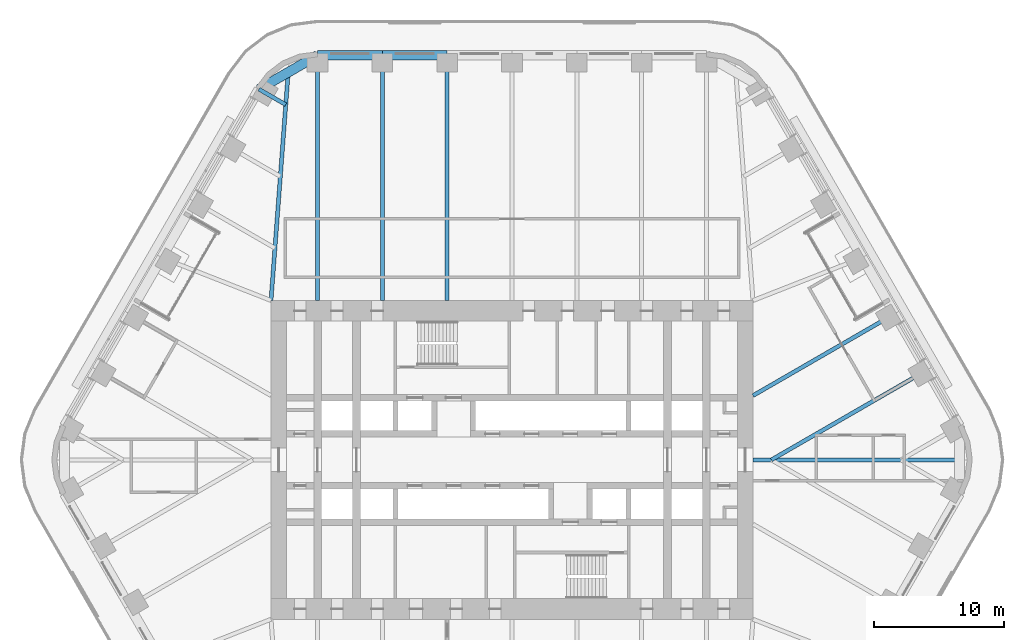
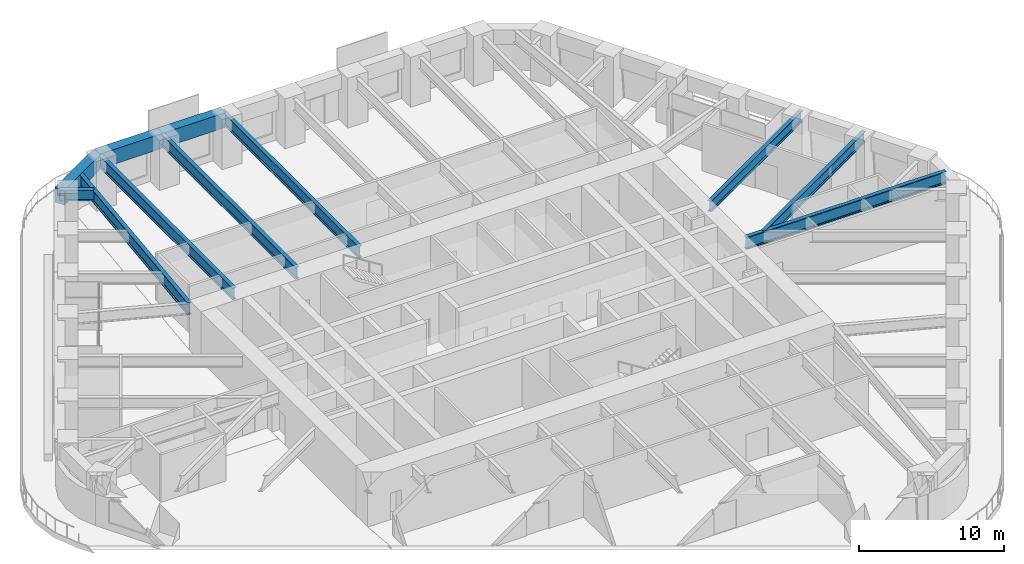
# One storey, part 10 of 24: 11 beams.
"""IFC4 building model written with IfcOpenShell, lengths in metres."""

import ifcopenshell
import ifcopenshell.guid

model = None  # the IFC model being written
_history = None  # IfcOwnerHistory: only IFC2X3 demands one
_inside = {}  # id of a spatial element -> (the spatial element, [elements in it])
_under = {}  # id of a project, library or spatial element -> (it, [spatial elements below it])
_declared = {}  # id of a project -> (the project, [libraries it declares])
_typed = {}  # id of a type object -> (the type object, [elements of that type])
_made_of = {}  # id of a material, layer set ... -> (it, [elements and type objects made of it])


def new_model(schema):
    """Start an empty IFC model of exactly this schema.

    Asked for "IFC4X3", IfcOpenShell would pick the latest addendum, in which some entities
    have other attributes; the version numbers below select the first issue.
    IFC2X3 requires an IfcOwnerHistory on every rooted entity: one is made here for all.
    """
    global model, _history
    if schema == "IFC4X3":
        model = ifcopenshell.file(schema_version=(4, 3, 0, 0))
    else:
        model = ifcopenshell.file(schema=schema)
    _inside.clear()
    _under.clear()
    _declared.clear()
    _typed.clear()
    _made_of.clear()
    _history = None
    if model.schema == "IFC2X3":
        org = make("IfcOrganization", Name="unknown")
        user = make(
            "IfcPersonAndOrganization",
            ThePerson=make("IfcPerson", FamilyName="unknown"),
            TheOrganization=org,
        )
        app = make(
            "IfcApplication",
            ApplicationDeveloper=org,
            Version="unknown",
            ApplicationFullName="unknown",
            ApplicationIdentifier="unknown",
        )
        _history = make(
            "IfcOwnerHistory",
            OwningUser=user,
            OwningApplication=app,
            ChangeAction="ADDED",
            CreationDate=0,
        )
    return model


def make(cls, **values):
    """One entity of the class cls with the attributes given. An attribute that is None is left unset."""
    return model.create_entity(
        cls, **{name: value for name, value in values.items() if value is not None}
    )


def rooted(cls, **values):
    """An entity with a GlobalId (a new one), such as an element, a storey or a relation."""
    return make(cls, GlobalId=ifcopenshell.guid.new(), OwnerHistory=_history, **values)


def si_unit(unit_type, name, prefix=None):
    """IfcSIUnit, for example si_unit("LENGTHUNIT", "METRE", prefix="MILLI")."""
    return make("IfcSIUnit", UnitType=unit_type, Prefix=prefix, Name=name)


def assignment(units):
    """IfcUnitAssignment: the units of a project."""
    return None if units is None else make("IfcUnitAssignment", Units=units)


def point(xyz):
    """IfcCartesianPoint."""
    return None if xyz is None else make("IfcCartesianPoint", Coordinates=xyz)


def direction(xyz):
    """IfcDirection."""
    return None if xyz is None else make("IfcDirection", DirectionRatios=xyz)


def frame(location, z_axis=None, x_axis=None):
    """IfcAxis2Placement3D, a coordinate frame: its origin and axes. An axis left out is left unset."""
    return make(
        "IfcAxis2Placement3D",
        Location=point(location),
        Axis=direction(z_axis),
        RefDirection=direction(x_axis),
    )


def frame_2d(location, x_axis=None):
    """IfcAxis2Placement2D, a coordinate frame in the plane: its origin and x axis."""
    return make(
        "IfcAxis2Placement2D", Location=point(location), RefDirection=direction(x_axis)
    )


def origin():
    """The frame at (0, 0, 0) with its axes left unset."""
    return frame((0.0, 0.0, 0.0))


def origin_2d():
    """The frame at (0, 0) in the plane with its x axis left unset."""
    return frame_2d((0.0, 0.0))


def place(relative_to, where):
    """IfcLocalPlacement: puts the frame where relative to a parent placement (None: the world)."""
    return make(
        "IfcLocalPlacement", PlacementRelTo=relative_to, RelativePlacement=where
    )


def context(
    kind, dimensions, precision=None, world=None, true_north=None, identifier=None
):
    """IfcGeometricRepresentationContext, for example the 3D "Model" context."""
    return make(
        "IfcGeometricRepresentationContext",
        ContextIdentifier=identifier,
        ContextType=kind,
        CoordinateSpaceDimension=dimensions,
        Precision=precision,
        WorldCoordinateSystem=world,
        TrueNorth=true_north,
    )


def subcontext(parent, identifier, kind, view, scale=None):
    """IfcGeometricRepresentationSubContext, for example "Body" below "Model"."""
    return make(
        "IfcGeometricRepresentationSubContext",
        ContextIdentifier=identifier,
        ContextType=kind,
        ParentContext=parent,
        TargetScale=scale,
        TargetView=view,
    )


def project(units=None, contexts=None):
    """IfcProject with its units and contexts."""
    return rooted(
        "IfcProject",
        Name="project",
        RepresentationContexts=contexts,
        UnitsInContext=assignment(units),
    )


def spatial(cls, under=None, at=None, **own):
    """A site, building, storey or space (cls), placed at a placement, below another one or the project."""
    s = rooted(cls, ObjectPlacement=at, **own)
    if under is not None:
        _under.setdefault(under.id(), (under, []))[1].append(s)
    return s


def profile(cls, at=None, kind="AREA", **sizes):
    """A parametric profile (cls). Its sizes go by their IFC names, for example OverallWidth=200.0."""
    return make(cls, ProfileType=kind, Position=at, **sizes)


def rectangle(**sizes):
    """IfcRectangleProfileDef."""
    return profile("IfcRectangleProfileDef", **sizes)


def i_section(**sizes):
    """IfcIShapeProfileDef."""
    return profile("IfcIShapeProfileDef", **sizes)


def extrude(swept, where, along, depth):
    """IfcExtrudedAreaSolid: the profile swept, set in the frame where, extruded along a direction by depth."""
    return make(
        "IfcExtrudedAreaSolid",
        SweptArea=swept,
        Position=where,
        ExtrudedDirection=direction(along),
        Depth=depth,
    )


def shape(context_of_items, identifier, shape_type, items):
    """IfcShapeRepresentation: the items that make up one representation, for example the "Body"."""
    return make(
        "IfcShapeRepresentation",
        ContextOfItems=context_of_items,
        RepresentationIdentifier=identifier,
        RepresentationType=shape_type,
        Items=items,
    )


def material(Name=None, Category=None):
    """IfcMaterial."""
    return make("IfcMaterial", Name=Name, Category=Category)


def material_profile(
    of_material, cross_section, Name=None, Category=None, Priority=None
):
    """IfcMaterialProfile: a cross section and its material."""
    return make(
        "IfcMaterialProfile",
        Name=Name,
        Material=of_material,
        Profile=cross_section,
        Priority=Priority,
        Category=Category,
    )


def profile_set(profiles, Name=None, composite=None):
    """IfcMaterialProfileSet."""
    return make(
        "IfcMaterialProfileSet",
        Name=Name,
        MaterialProfiles=profiles,
        CompositeProfile=composite,
    )


def made_of(thing, what):
    """Note that an element or type object is made of a material, layer set ...; save() writes the relation."""
    if what is not None:
        _made_of.setdefault(what.id(), (what, []))[1].append(thing)
    return thing


def type_object(cls, material=None, **own):
    """A type object (cls), such as IfcWallType, which elements share."""
    return made_of(rooted(cls, **own), material)


def element(
    cls,
    number,
    at=None,
    inside=None,
    cuts=None,
    type_object=None,
    material=None,
    context=None,
    identifier="Body",
    shape_type=None,
    held_by="IfcProductDefinitionShape",
    body=None,
    shapes=None,
    **own,
):
    """One element of the class cls, such as IfcWall. Its Tag is "e" and its number.

    at: its placement. inside: the storey or other place that contains it. cuts: it is an
    opening in that element (IfcRelVoidsElement). A single representation is given by context,
    identifier, shape_type and body (its items); several are given by shapes. held_by: the class
    of the entity that holds the representations. save() writes the other relations.
    """
    e = rooted(cls, Tag="e%d" % number, ObjectPlacement=at, **own)
    if body is not None:
        shapes = [shape(context, identifier, shape_type, body)]
    if shapes is not None:
        e.Representation = make(held_by, Representations=shapes)
    if inside is not None:
        _inside.setdefault(inside.id(), (inside, []))[1].append(e)
    if cuts is not None:
        rooted(
            "IfcRelVoidsElement", RelatingBuildingElement=cuts, RelatedOpeningElement=e
        )
    if type_object is not None:
        _typed.setdefault(type_object.id(), (type_object, []))[1].append(e)
    return made_of(e, material)


def aggregate(whole, parts):
    """IfcRelAggregates: a whole, such as a stair, and the parts it consists of."""
    return rooted("IfcRelAggregates", RelatingObject=whole, RelatedObjects=parts)


def save(model, path):
    """Write the relations noted so far, then the file.

    IfcRelAggregates (storeys below a building ...), IfcRelContainedInSpatialStructure (elements
    in a storey), IfcRelDefinesByType, IfcRelAssociatesMaterial and IfcRelDeclares: one each for
    every whole, place, type object, material and project.
    """
    for whole, parts in _under.values():
        aggregate(whole, parts)
    for where, things in _inside.values():
        rooted(
            "IfcRelContainedInSpatialStructure",
            RelatedElements=things,
            RelatingStructure=where,
        )
    for kind, things in _typed.values():
        rooted("IfcRelDefinesByType", RelatedObjects=things, RelatingType=kind)
    for what, things in _made_of.values():
        rooted("IfcRelAssociatesMaterial", RelatedObjects=things, RelatingMaterial=what)
    for by, libraries in _declared.values():
        rooted("IfcRelDeclares", RelatingContext=by, RelatedDefinitions=libraries)
    model.write(path)


model = new_model("IFC4")

# Units and contexts
model_context = context("Model", 3, precision=1e-05, world=origin(), true_north=direction((0.0, 1.0)))
body_context = subcontext(model_context, "Body", "Model", "MODEL_VIEW")
ifc_project = project(units=[si_unit("LENGTHUNIT", "METRE"), si_unit("AREAUNIT", "SQUARE_METRE"), si_unit("VOLUMEUNIT", "CUBIC_METRE"), si_unit("PLANEANGLEUNIT", "RADIAN"), si_unit("MASSUNIT", "GRAM", prefix="KILO")], contexts=[model_context])

# Site, building, storey
site_placement = place(None, origin())
site = spatial("IfcSite", under=ifc_project, at=site_placement, CompositionType="ELEMENT")
building_placement = place(site_placement, origin())
building = spatial("IfcBuilding", under=site, at=building_placement, Name="Tarfa Lantern Tower", CompositionType="ELEMENT")
storey_placement = place(building_placement, frame((0.0, 0.0, 174.10009765625)))
storey = spatial("IfcBuildingStorey", under=building, at=storey_placement, Name="L39", CompositionType="ELEMENT", Elevation=174.10009765625)

# Beams
ifc_material_1 = material(Name="Concrete C80/95", Category="concrete")
ifc_material_profile_1 = material_profile(ifc_material_1, rectangle(XDim=0.75, YDim=1.25, at=origin_2d()), Name="RC 750x1250")
ifc_profile_set_1 = profile_set([ifc_material_profile_1], Name="Concrete C80/95")
beam_type_1 = type_object("IfcBeamType", Name="EB2 RC 750x1250", PredefinedType="SPANDREL", material=ifc_profile_set_1)
for number, where, z_axis, x_axis, name in (
    (1, (-5.003662109375, 31.219970703125, 3.375), (-1.0, 0.0, 0.0), (0.0, -1.0, 0.0), "Edge beam N4"),
    (2, (-10.00732421875, 31.219970703125, 3.375), (-1.0, 0.0, 0.0), (0.0, -1.0, 0.0), "Edge beam N5"),
):
    element("IfcBeam", number, at=place(storey_placement, frame(where, z_axis=z_axis, x_axis=x_axis)), inside=storey, type_object=beam_type_1, Name=name, PredefinedType="SPANDREL", context=body_context, shape_type="SweptSolid", body=[
        extrude(rectangle(XDim=0.75, YDim=1.25, at=origin_2d()), origin(), (0.0, 0.0, 1.0), 5.003662109375),
    ])
beam_1_placement = place(storey_placement, frame((-15.010986328125, 31.219970703125, 3.375), z_axis=(-0.86604150238, -0.499972115377, 0.0), x_axis=(0.499972115377, -0.86604150238, 0.0)))
element("IfcBeam", 3, at=beam_1_placement, inside=storey, type_object=beam_type_1, Name="Edge beam N6", PredefinedType="SPANDREL", context=body_context, shape_type="SweptSolid", body=[
    extrude(rectangle(XDim=0.75, YDim=1.25, at=origin_2d()), origin(), (0.0, 0.0, 1.0), 5.219970703125),
])
ifc_material_2 = material(Name="Steel S460M", Category="steel")
ifc_material_profile_2 = material_profile(ifc_material_2, i_section(OverallWidth=0.302001953125, OverallDepth=1.008056640625, WebThickness=0.02099609375, FlangeThickness=0.0400390625, FilletRadius=0.030029296875, at=origin_2d()), Name="UB1016x305x349")
ifc_profile_set_2 = profile_set([ifc_material_profile_2], Name="Steel S460M")
beam_type_2 = type_object("IfcBeamType", Name="UB1016x305x349", PredefinedType="BEAM", material=ifc_profile_set_2)
for number, where, z_axis, x_axis, name in (
    (4, (-5.003662109375, 31.219970703125, 3.495849609375), (0.0, -1.0, 0.0), (1.0, 0.0, 0.0), "Floor beam N4"),
    (5, (-10.00732421875, 31.219970703125, 3.495849609375), (0.0, -1.0, 0.0), (1.0, 0.0, 0.0), "Floor beam N5"),
    (6, (-15.010986328125, 31.219970703125, 3.495849609375), (0.0, -1.0, 0.0), (1.0, 0.0, 0.0), "Floor beam N6"),
):
    element("IfcBeam", number, at=place(storey_placement, frame(where, z_axis=z_axis, x_axis=x_axis)), inside=storey, type_object=beam_type_2, Name=name, PredefinedType="BEAM", context=body_context, shape_type="SweptSolid", body=[
        extrude(i_section(OverallWidth=0.302001953125, OverallDepth=1.008056640625, WebThickness=0.02099609375, FlangeThickness=0.0400390625, FilletRadius=0.030029296875, at=origin_2d()), origin(), (0.0, 0.0, 1.0), 18.919921875),
    ])
ifc_material_profile_3 = material_profile(ifc_material_2, i_section(OverallWidth=0.30859375, OverallDepth=1.036376953125, WebThickness=0.030029296875, FlangeThickness=0.05419921875, FilletRadius=0.030029296875, at=origin_2d()), Name="UB1016x305x487")
ifc_profile_set_3 = profile_set([ifc_material_profile_3], Name="Steel S460M")
beam_type_3 = type_object("IfcBeamType", Name="UB1016x305x487", PredefinedType="BEAM", material=ifc_profile_set_3)
beam_2_placement = place(storey_placement, frame((18.60009765625, 0.0, 3.481689453125), z_axis=(1.0, 0.0, 0.0), x_axis=(0.0, 1.0, 0.0)))
element("IfcBeam", 7, at=beam_2_placement, inside=storey, type_object=beam_type_3, Name="Hip girder E", PredefinedType="BEAM", context=body_context, shape_type="SweptSolid", body=[
    extrude(i_section(OverallWidth=0.30859375, OverallDepth=1.036376953125, WebThickness=0.030029296875, FlangeThickness=0.05419921875, FilletRadius=0.030029296875, at=origin_2d()), origin(), (0.0, 0.0, 1.0), 15.94287109375),
])
beam_3_placement = place(storey_placement, frame((-18.60009765625, 12.300048828125, 3.481689453125), z_axis=(0.075211516041, 0.99716760269, 0.0), x_axis=(-0.99716760269, 0.075211516041, 0.0)))
element("IfcBeam", 8, at=beam_3_placement, inside=storey, type_object=beam_type_3, Name="Hip girder NW", PredefinedType="BEAM", context=body_context, shape_type="SweptSolid", body=[
    extrude(i_section(OverallWidth=0.30859375, OverallDepth=1.036376953125, WebThickness=0.030029296875, FlangeThickness=0.05419921875, FilletRadius=0.030029296875, at=origin_2d()), origin(), (0.0, 0.0, 1.0), 17.6650390625),
])
ifc_material_profile_4 = material_profile(ifc_material_2, i_section(OverallWidth=0.305419921875, OverallDepth=0.91845703125, WebThickness=0.017333984375, FlangeThickness=0.02783203125, FilletRadius=0.01904296875, at=origin_2d()), Name="UB914x305x253")
ifc_profile_set_4 = profile_set([ifc_material_profile_4], Name="Steel S460M")
beam_type_4 = type_object("IfcBeamType", Name="UB914x305x253", PredefinedType="BEAM", material=ifc_profile_set_4)
beam_4_placement = place(storey_placement, frame((32.041015625, 6.943359375, 3.540771484375), z_axis=(-0.866023096411, -0.500003996466, 0.0), x_axis=(0.500003996466, -0.866023096411, 0.0)))
element("IfcBeam", 9, at=beam_4_placement, inside=storey, type_object=beam_type_4, Name="Floor beam NE1", PredefinedType="BEAM", context=body_context, shape_type="SweptSolid", body=[
    extrude(i_section(OverallWidth=0.305419921875, OverallDepth=0.91845703125, WebThickness=0.017333984375, FlangeThickness=0.02783203125, FilletRadius=0.01904296875, at=origin_2d()), origin(), (0.0, 0.0, 1.0), 13.88671875),
])
beam_5_placement = place(storey_placement, frame((29.5390625, 11.276611328125, 3.540771484375), z_axis=(-0.866023362995, -0.500003534735, 0.0), x_axis=(0.500003534735, -0.866023362995, 0.0)))
element("IfcBeam", 10, at=beam_5_placement, inside=storey, type_object=beam_type_4, Name="Floor beam NE2", PredefinedType="BEAM", context=body_context, shape_type="SweptSolid", body=[
    extrude(i_section(OverallWidth=0.305419921875, OverallDepth=0.91845703125, WebThickness=0.017333984375, FlangeThickness=0.02783203125, FilletRadius=0.01904296875, at=origin_2d()), origin(), (0.0, 0.0, 1.0), 12.63134765625),
])
beam_6_placement = place(storey_placement, frame((-19.53173828125, 28.610107421875, 3.540771484375), z_axis=(0.865998640954, -0.500046351717, 0.0), x_axis=(0.500046351717, 0.865998640954, 0.0)))
element("IfcBeam", 11, at=beam_6_placement, inside=storey, type_object=beam_type_4, Name="Floor beam NW0", PredefinedType="BEAM", context=body_context, shape_type="SweptSolid", body=[
    extrude(i_section(OverallWidth=0.305419921875, OverallDepth=0.91845703125, WebThickness=0.017333984375, FlangeThickness=0.02783203125, FilletRadius=0.01904296875, at=origin_2d()), origin(), (0.0, 0.0, 1.0), 2.392333984375),
])

save(model, "model.ifc")
